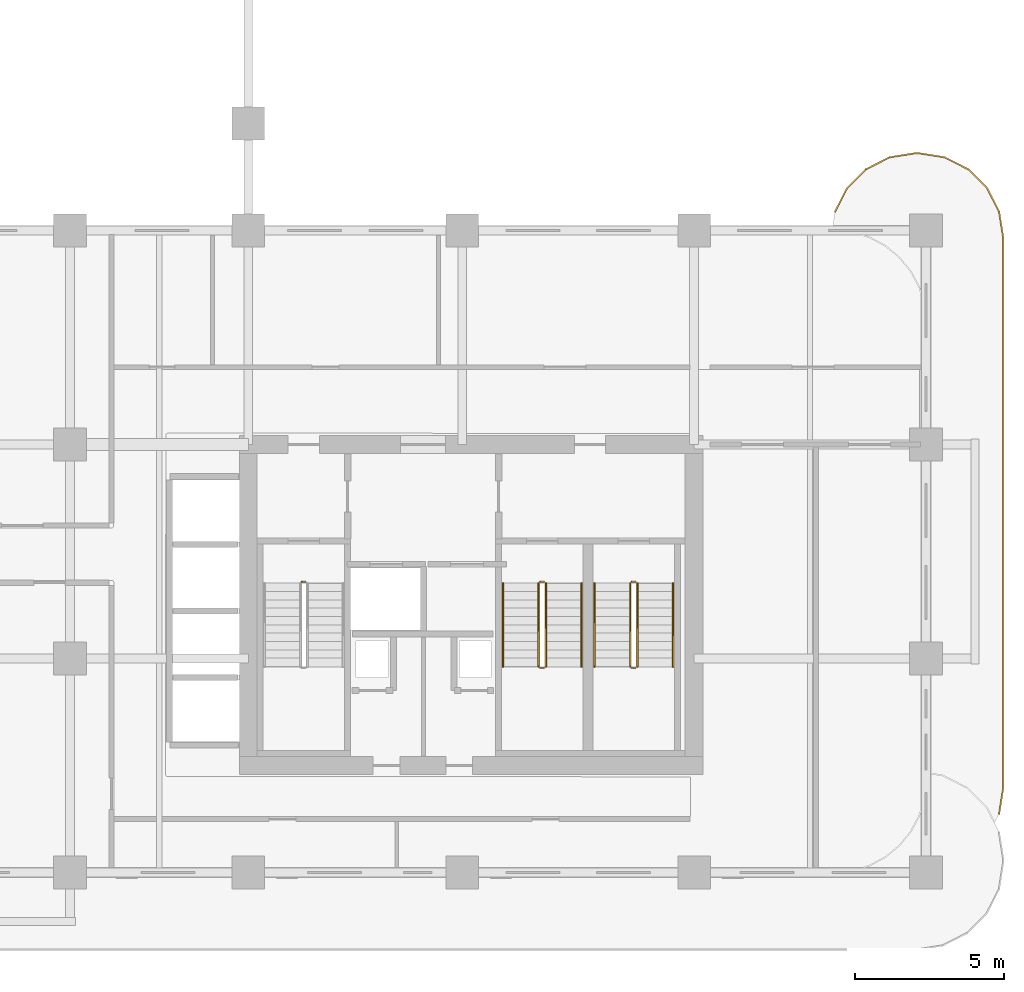
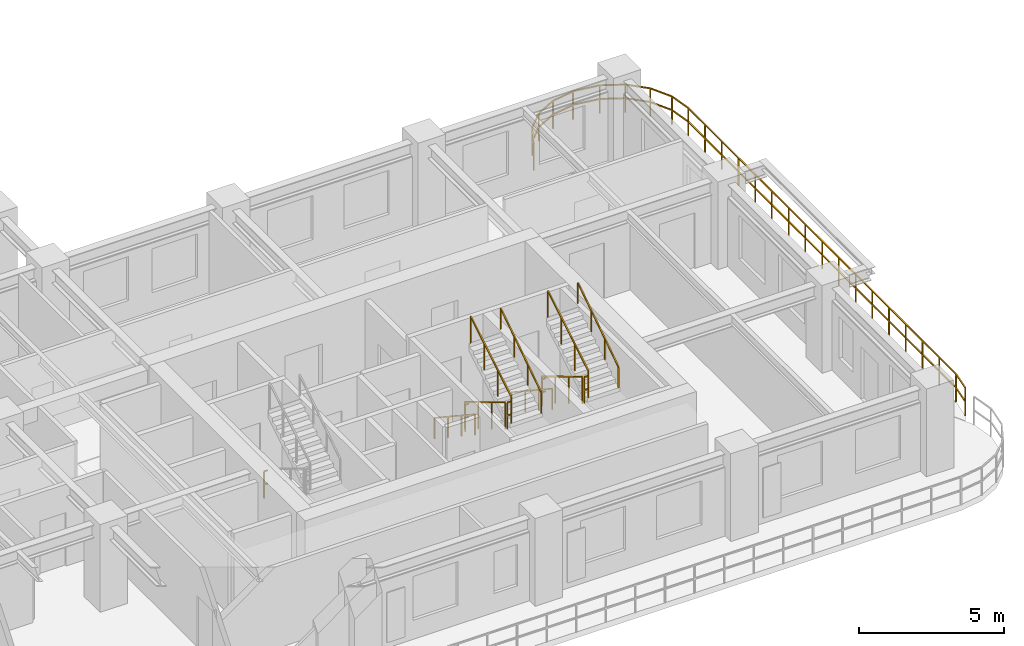
# One storey, part 17 of 19: 14 railings.
"""IFC4 building model written with IfcOpenShell, lengths in metres."""

import ifcopenshell
import ifcopenshell.guid

model = None  # the IFC model being written
_history = None  # IfcOwnerHistory: only IFC2X3 demands one
_inside = {}  # id of a spatial element -> (the spatial element, [elements in it])
_under = {}  # id of a project, library or spatial element -> (it, [spatial elements below it])
_declared = {}  # id of a project -> (the project, [libraries it declares])
_typed = {}  # id of a type object -> (the type object, [elements of that type])
_made_of = {}  # id of a material, layer set ... -> (it, [elements and type objects made of it])


def new_model(schema):
    """Start an empty IFC model of exactly this schema.

    Asked for "IFC4X3", IfcOpenShell would pick the latest addendum, in which some entities
    have other attributes; the version numbers below select the first issue.
    IFC2X3 requires an IfcOwnerHistory on every rooted entity: one is made here for all.
    """
    global model, _history
    if schema == "IFC4X3":
        model = ifcopenshell.file(schema_version=(4, 3, 0, 0))
    else:
        model = ifcopenshell.file(schema=schema)
    _inside.clear()
    _under.clear()
    _declared.clear()
    _typed.clear()
    _made_of.clear()
    _history = None
    if model.schema == "IFC2X3":
        org = make("IfcOrganization", Name="unknown")
        user = make(
            "IfcPersonAndOrganization",
            ThePerson=make("IfcPerson", FamilyName="unknown"),
            TheOrganization=org,
        )
        app = make(
            "IfcApplication",
            ApplicationDeveloper=org,
            Version="unknown",
            ApplicationFullName="unknown",
            ApplicationIdentifier="unknown",
        )
        _history = make(
            "IfcOwnerHistory",
            OwningUser=user,
            OwningApplication=app,
            ChangeAction="ADDED",
            CreationDate=0,
        )
    return model


def make(cls, **values):
    """One entity of the class cls with the attributes given. An attribute that is None is left unset."""
    return model.create_entity(
        cls, **{name: value for name, value in values.items() if value is not None}
    )


def rooted(cls, **values):
    """An entity with a GlobalId (a new one), such as an element, a storey or a relation."""
    return make(cls, GlobalId=ifcopenshell.guid.new(), OwnerHistory=_history, **values)


def si_unit(unit_type, name, prefix=None):
    """IfcSIUnit, for example si_unit("LENGTHUNIT", "METRE", prefix="MILLI")."""
    return make("IfcSIUnit", UnitType=unit_type, Prefix=prefix, Name=name)


def derived_unit(unit_type, elements):
    """IfcDerivedUnit: a product of units, each with its exponent."""
    return make(
        "IfcDerivedUnit",
        Elements=[
            make("IfcDerivedUnitElement", Unit=unit, Exponent=power)
            for unit, power in elements
        ],
        UnitType=unit_type,
    )


def assignment(units):
    """IfcUnitAssignment: the units of a project."""
    return None if units is None else make("IfcUnitAssignment", Units=units)


def point(xyz):
    """IfcCartesianPoint."""
    return None if xyz is None else make("IfcCartesianPoint", Coordinates=xyz)


def direction(xyz):
    """IfcDirection."""
    return None if xyz is None else make("IfcDirection", DirectionRatios=xyz)


def frame(location, z_axis=None, x_axis=None):
    """IfcAxis2Placement3D, a coordinate frame: its origin and axes. An axis left out is left unset."""
    return make(
        "IfcAxis2Placement3D",
        Location=point(location),
        Axis=direction(z_axis),
        RefDirection=direction(x_axis),
    )


def frame_2d(location, x_axis=None):
    """IfcAxis2Placement2D, a coordinate frame in the plane: its origin and x axis."""
    return make(
        "IfcAxis2Placement2D", Location=point(location), RefDirection=direction(x_axis)
    )


def origin():
    """The frame at (0, 0, 0) with its axes left unset."""
    return frame((0.0, 0.0, 0.0))


def origin_2d():
    """The frame at (0, 0) in the plane with its x axis left unset."""
    return frame_2d((0.0, 0.0))


def place(relative_to, where):
    """IfcLocalPlacement: puts the frame where relative to a parent placement (None: the world)."""
    return make(
        "IfcLocalPlacement", PlacementRelTo=relative_to, RelativePlacement=where
    )


def context(
    kind, dimensions, precision=None, world=None, true_north=None, identifier=None
):
    """IfcGeometricRepresentationContext, for example the 3D "Model" context."""
    return make(
        "IfcGeometricRepresentationContext",
        ContextIdentifier=identifier,
        ContextType=kind,
        CoordinateSpaceDimension=dimensions,
        Precision=precision,
        WorldCoordinateSystem=world,
        TrueNorth=true_north,
    )


def subcontext(parent, identifier, kind, view, scale=None):
    """IfcGeometricRepresentationSubContext, for example "Body" below "Model"."""
    return make(
        "IfcGeometricRepresentationSubContext",
        ContextIdentifier=identifier,
        ContextType=kind,
        ParentContext=parent,
        TargetScale=scale,
        TargetView=view,
    )


def project(units=None, contexts=None):
    """IfcProject with its units and contexts."""
    return rooted(
        "IfcProject",
        Name="project",
        RepresentationContexts=contexts,
        UnitsInContext=assignment(units),
    )


def spatial(cls, under=None, at=None, **own):
    """A site, building, storey or space (cls), placed at a placement, below another one or the project."""
    s = rooted(cls, ObjectPlacement=at, **own)
    if under is not None:
        _under.setdefault(under.id(), (under, []))[1].append(s)
    return s


def profile(cls, at=None, kind="AREA", **sizes):
    """A parametric profile (cls). Its sizes go by their IFC names, for example OverallWidth=200.0."""
    return make(cls, ProfileType=kind, Position=at, **sizes)


def rectangle(**sizes):
    """IfcRectangleProfileDef."""
    return profile("IfcRectangleProfileDef", **sizes)


def extrude(swept, where, along, depth):
    """IfcExtrudedAreaSolid: the profile swept, set in the frame where, extruded along a direction by depth."""
    return make(
        "IfcExtrudedAreaSolid",
        SweptArea=swept,
        Position=where,
        ExtrudedDirection=direction(along),
        Depth=depth,
    )


def shape(context_of_items, identifier, shape_type, items):
    """IfcShapeRepresentation: the items that make up one representation, for example the "Body"."""
    return make(
        "IfcShapeRepresentation",
        ContextOfItems=context_of_items,
        RepresentationIdentifier=identifier,
        RepresentationType=shape_type,
        Items=items,
    )


def material(Name=None, Category=None):
    """IfcMaterial."""
    return make("IfcMaterial", Name=Name, Category=Category)


def made_of(thing, what):
    """Note that an element or type object is made of a material, layer set ...; save() writes the relation."""
    if what is not None:
        _made_of.setdefault(what.id(), (what, []))[1].append(thing)
    return thing


def type_object(cls, material=None, **own):
    """A type object (cls), such as IfcWallType, which elements share."""
    return made_of(rooted(cls, **own), material)


def element(
    cls,
    number,
    at=None,
    inside=None,
    cuts=None,
    type_object=None,
    material=None,
    context=None,
    identifier="Body",
    shape_type=None,
    held_by="IfcProductDefinitionShape",
    body=None,
    shapes=None,
    **own,
):
    """One element of the class cls, such as IfcWall. Its Tag is "e" and its number.

    at: its placement. inside: the storey or other place that contains it. cuts: it is an
    opening in that element (IfcRelVoidsElement). A single representation is given by context,
    identifier, shape_type and body (its items); several are given by shapes. held_by: the class
    of the entity that holds the representations. save() writes the other relations.
    """
    e = rooted(cls, Tag="e%d" % number, ObjectPlacement=at, **own)
    if body is not None:
        shapes = [shape(context, identifier, shape_type, body)]
    if shapes is not None:
        e.Representation = make(held_by, Representations=shapes)
    if inside is not None:
        _inside.setdefault(inside.id(), (inside, []))[1].append(e)
    if cuts is not None:
        rooted(
            "IfcRelVoidsElement", RelatingBuildingElement=cuts, RelatedOpeningElement=e
        )
    if type_object is not None:
        _typed.setdefault(type_object.id(), (type_object, []))[1].append(e)
    return made_of(e, material)


def aggregate(whole, parts):
    """IfcRelAggregates: a whole, such as a stair, and the parts it consists of."""
    return rooted("IfcRelAggregates", RelatingObject=whole, RelatedObjects=parts)


def save(model, path):
    """Write the relations noted so far, then the file.

    IfcRelAggregates (storeys below a building ...), IfcRelContainedInSpatialStructure (elements
    in a storey), IfcRelDefinesByType, IfcRelAssociatesMaterial and IfcRelDeclares: one each for
    every whole, place, type object, material and project.
    """
    for whole, parts in _under.values():
        aggregate(whole, parts)
    for where, things in _inside.values():
        rooted(
            "IfcRelContainedInSpatialStructure",
            RelatedElements=things,
            RelatingStructure=where,
        )
    for kind, things in _typed.values():
        rooted("IfcRelDefinesByType", RelatedObjects=things, RelatingType=kind)
    for what, things in _made_of.values():
        rooted("IfcRelAssociatesMaterial", RelatedObjects=things, RelatingMaterial=what)
    for by, libraries in _declared.values():
        rooted("IfcRelDeclares", RelatingContext=by, RelatedDefinitions=libraries)
    model.write(path)


model = new_model("IFC4")

# Units and contexts
model_context = context("Model", 3, precision=1e-05, world=origin(), true_north=direction((0.0, 1.0)))
body_context = subcontext(model_context, "Body", "Model", "MODEL_VIEW")
ifc_project = project(units=[si_unit("LENGTHUNIT", "METRE"), si_unit("AREAUNIT", "SQUARE_METRE"), si_unit("VOLUMEUNIT", "CUBIC_METRE"), si_unit("PLANEANGLEUNIT", "RADIAN"), si_unit("MASSUNIT", "GRAM", prefix="KILO"), si_unit("THERMODYNAMICTEMPERATUREUNIT", "KELVIN"), si_unit("POWERUNIT", "WATT"), derived_unit("THERMALTRANSMITTANCEUNIT", [(si_unit("POWERUNIT", "WATT"), 1), (si_unit("AREAUNIT", "SQUARE_METRE"), -1), (si_unit("THERMODYNAMICTEMPERATUREUNIT", "KELVIN"), -1)])], contexts=[model_context])

# Site, building, storey
site_placement = place(None, origin())
site = spatial("IfcSite", under=ifc_project, at=site_placement, CompositionType="ELEMENT")
building_placement = place(site_placement, origin())
building = spatial("IfcBuilding", under=site, at=building_placement, Name="Zahravan Archway Hotel and Residences", CompositionType="ELEMENT")
storey_placement = place(building_placement, frame((0.0, 0.0, 47.199951171875)))
storey = spatial("IfcBuildingStorey", under=building, at=storey_placement, Name="L10", CompositionType="ELEMENT", Elevation=47.199951171875)

# Railings
ifc_material_1 = material(Name="Bronze & Laminated Glass Balustrade", Category="glass")
railing_type_1 = type_object("IfcRailingType", Name="RL-BAL-1200", PredefinedType="BALUSTRADE", material=ifc_material_1)
railing_1_placement = place(storey_placement, frame((54.53955078125, 22.230712890625, 0.0)))
element("IfcRailing", 1, at=railing_1_placement, inside=storey, type_object=railing_type_1, Name="L10 Balustrade RL-SLB-BAL-L10-EA-1", PredefinedType="BALUSTRADE", context=body_context, shape_type="SweptSolid", body=[
    extrude(rectangle(XDim=0.048095703125, YDim=0.048095703125, at=origin_2d()), frame((0.0, 0.0, 1.17578125), z_axis=(0.453991409995, 0.891006060389, 0.0), x_axis=(-0.891006060389, 0.453991409995, 0.0)), (0.0, 0.0, 1.0), 0.8916015625),
    extrude(rectangle(XDim=0.048095703125, YDim=0.048095703125, at=origin_2d()), frame((0.0, 0.0, 0.60009765625), z_axis=(0.453991409995, 0.891006060389, 0.0), x_axis=(-0.891006060389, 0.453991409995, 0.0)), (0.0, 0.0, 1.0), 0.8916015625),
    extrude(rectangle(XDim=0.048095703125, YDim=0.048095703125, at=origin_2d()), frame((0.40478515625, 0.79443359375, 1.17578125), z_axis=(0.706969864397, 0.70724367147, 0.0), x_axis=(-0.70724367147, 0.706969864397, 0.0)), (0.0, 0.0, 1.0), 0.8916015625),
    extrude(rectangle(XDim=0.048095703125, YDim=0.048095703125, at=origin_2d()), frame((0.40478515625, 0.79443359375, 0.60009765625), z_axis=(0.706969864397, 0.70724367147, 0.0), x_axis=(-0.70724367147, 0.706969864397, 0.0)), (0.0, 0.0, 1.0), 0.8916015625),
    extrude(rectangle(XDim=0.048095703125, YDim=0.048095703125, at=origin_2d()), frame((1.03515625, 1.425048828125, 1.17578125), z_axis=(0.891062476022, 0.45388067135, 0.0), x_axis=(-0.45388067135, 0.891062476022, 0.0)), (0.0, 0.0, 1.0), 0.891845703125),
    extrude(rectangle(XDim=0.048095703125, YDim=0.048095703125, at=origin_2d()), frame((1.03515625, 1.425048828125, 0.60009765625), z_axis=(0.891062476022, 0.45388067135, 0.0), x_axis=(-0.45388067135, 0.891062476022, 0.0)), (0.0, 0.0, 1.0), 0.891845703125),
    extrude(rectangle(XDim=0.048095703125, YDim=0.048095703125, at=origin_2d()), frame((1.829833984375, 1.829833984375, 1.17578125), z_axis=(0.987700720307, 0.156356282588, 0.0), x_axis=(-0.156356282588, 0.987700720307, 0.0)), (0.0, 0.0, 1.0), 0.8916015625),
    extrude(rectangle(XDim=0.048095703125, YDim=0.048095703125, at=origin_2d()), frame((1.829833984375, 1.829833984375, 0.60009765625), z_axis=(0.987700720307, 0.156356282588, 0.0), x_axis=(-0.156356282588, 0.987700720307, 0.0)), (0.0, 0.0, 1.0), 0.8916015625),
    extrude(rectangle(XDim=0.048095703125, YDim=0.048095703125, at=origin_2d()), frame((2.71044921875, 1.96923828125, 1.17578125), z_axis=(1.0, 0.0, 0.0), x_axis=(0.0, 1.0, 0.0)), (0.0, 0.0, 1.0), 0.10009765625),
    extrude(rectangle(XDim=0.048095703125, YDim=0.048095703125, at=origin_2d()), frame((2.71044921875, 1.96923828125, 0.60009765625), z_axis=(1.0, 0.0, 0.0), x_axis=(0.0, 1.0, 0.0)), (0.0, 0.0, 1.0), 0.10009765625),
    extrude(rectangle(XDim=0.048095703125, YDim=0.048095703125, at=origin_2d()), frame((2.810546875, 1.96923828125, 1.17578125), z_axis=(0.987700720307, -0.156356282588, 0.0), x_axis=(0.156356282588, 0.987700720307, 0.0)), (0.0, 0.0, 1.0), 0.8916015625),
    extrude(rectangle(XDim=0.048095703125, YDim=0.048095703125, at=origin_2d()), frame((2.810546875, 1.96923828125, 0.60009765625), z_axis=(0.987700720307, -0.156356282588, 0.0), x_axis=(0.156356282588, 0.987700720307, 0.0)), (0.0, 0.0, 1.0), 0.8916015625),
    extrude(rectangle(XDim=0.048095703125, YDim=0.048095703125, at=origin_2d()), frame((3.691162109375, 1.829833984375, 1.17578125), z_axis=(0.891006060389, -0.453991409995, 0.0), x_axis=(0.453991409995, 0.891006060389, 0.0)), (0.0, 0.0, 1.0), 0.8916015625),
    extrude(rectangle(XDim=0.048095703125, YDim=0.048095703125, at=origin_2d()), frame((3.691162109375, 1.829833984375, 0.60009765625), z_axis=(0.891006060389, -0.453991409995, 0.0), x_axis=(0.453991409995, 0.891006060389, 0.0)), (0.0, 0.0, 1.0), 0.8916015625),
    extrude(rectangle(XDim=0.048095703125, YDim=0.048095703125, at=origin_2d()), frame((4.485595703125, 1.425048828125, 1.17578125), z_axis=(0.707106781187, -0.707106781187, 0.0), x_axis=(0.707106781187, 0.707106781187, 0.0)), (0.0, 0.0, 1.0), 0.891845703125),
    extrude(rectangle(XDim=0.048095703125, YDim=0.048095703125, at=origin_2d()), frame((4.485595703125, 1.425048828125, 0.60009765625), z_axis=(0.707106781187, -0.707106781187, 0.0), x_axis=(0.707106781187, 0.707106781187, 0.0)), (0.0, 0.0, 1.0), 0.891845703125),
    extrude(rectangle(XDim=0.048095703125, YDim=0.048095703125, at=origin_2d()), frame((5.1162109375, 0.79443359375, 1.17578125), z_axis=(0.453991409995, -0.891006060389, 0.0), x_axis=(0.891006060389, 0.453991409995, 0.0)), (0.0, 0.0, 1.0), 0.8916015625),
    extrude(rectangle(XDim=0.048095703125, YDim=0.048095703125, at=origin_2d()), frame((5.1162109375, 0.79443359375, 0.60009765625), z_axis=(0.453991409995, -0.891006060389, 0.0), x_axis=(0.891006060389, 0.453991409995, 0.0)), (0.0, 0.0, 1.0), 0.8916015625),
    extrude(rectangle(XDim=0.048095703125, YDim=0.048095703125, at=origin_2d()), frame((5.52099609375, 0.0, 1.17578125), z_axis=(0.156356282588, -0.987700720307, 0.0), x_axis=(0.987700720307, 0.156356282588, 0.0)), (0.0, 0.0, 1.0), 0.8916015625),
    extrude(rectangle(XDim=0.048095703125, YDim=0.048095703125, at=origin_2d()), frame((5.52099609375, 0.0, 0.60009765625), z_axis=(0.156356282588, -0.987700720307, 0.0), x_axis=(0.987700720307, 0.156356282588, 0.0)), (0.0, 0.0, 1.0), 0.8916015625),
    extrude(rectangle(XDim=0.048095703125, YDim=0.048095703125, at=origin_2d()), frame((5.660400390625, -0.880615234375, 1.17578125), z_axis=(0.0, -1.0, 0.0), x_axis=(1.0, 0.0, 0.0)), (0.0, 0.0, 1.0), 18.5),
    extrude(rectangle(XDim=0.048095703125, YDim=0.048095703125, at=origin_2d()), frame((5.660400390625, -0.880615234375, 0.60009765625), z_axis=(0.0, -1.0, 0.0), x_axis=(1.0, 0.0, 0.0)), (0.0, 0.0, 1.0), 18.5),
    extrude(rectangle(XDim=0.048095703125, YDim=0.048095703125, at=origin_2d()), frame((5.660400390625, -19.380615234375, 1.17578125), z_axis=(-0.156314005608, -0.987707411965, 0.0), x_axis=(0.987707411965, -0.156314005608, 0.0)), (0.0, 0.0, 1.0), 0.891845703125),
    extrude(rectangle(XDim=0.048095703125, YDim=0.048095703125, at=origin_2d()), frame((5.660400390625, -19.380615234375, 0.60009765625), z_axis=(-0.156314005608, -0.987707411965, 0.0), x_axis=(0.987707411965, -0.156314005608, 0.0)), (0.0, 0.0, 1.0), 0.891845703125),
    extrude(rectangle(XDim=0.0419921875, YDim=0.0419921875, at=origin_2d()), origin(), (0.0, 0.0, 1.0), 1.15185546875),
    extrude(rectangle(XDim=0.0419921875, YDim=0.0419921875, at=origin_2d()), frame((0.40478515625, 0.79443359375, 0.0)), (0.0, 0.0, 1.0), 1.15185546875),
    extrude(rectangle(XDim=0.0419921875, YDim=0.0419921875, at=origin_2d()), frame((1.03515625, 1.425048828125, 0.0)), (0.0, 0.0, 1.0), 1.15185546875),
    extrude(rectangle(XDim=0.0419921875, YDim=0.0419921875, at=origin_2d()), frame((1.829833984375, 1.829833984375, 0.0)), (0.0, 0.0, 1.0), 1.15185546875),
    extrude(rectangle(XDim=0.0419921875, YDim=0.0419921875, at=origin_2d()), frame((2.71044921875, 1.96923828125, 0.0)), (0.0, 0.0, 1.0), 1.15185546875),
    extrude(rectangle(XDim=0.0419921875, YDim=0.0419921875, at=origin_2d()), frame((3.691162109375, 1.829833984375, 0.0)), (0.0, 0.0, 1.0), 1.15185546875),
    extrude(rectangle(XDim=0.0419921875, YDim=0.0419921875, at=origin_2d()), frame((4.485595703125, 1.425048828125, 0.0)), (0.0, 0.0, 1.0), 1.15185546875),
    extrude(rectangle(XDim=0.0419921875, YDim=0.0419921875, at=origin_2d()), frame((5.1162109375, 0.79443359375, 0.0)), (0.0, 0.0, 1.0), 1.15185546875),
    extrude(rectangle(XDim=0.0419921875, YDim=0.0419921875, at=origin_2d()), frame((5.52099609375, 0.0, 0.0)), (0.0, 0.0, 1.0), 1.15185546875),
    extrude(rectangle(XDim=0.0419921875, YDim=0.0419921875, at=origin_2d()), frame((5.660400390625, -0.880615234375, 0.0)), (0.0, 0.0, 1.0), 1.15185546875),
    extrude(rectangle(XDim=0.0419921875, YDim=0.0419921875, at=origin_2d()), frame((5.660400390625, -2.036865234375, 0.0)), (0.0, 0.0, 1.0), 1.15185546875),
    extrude(rectangle(XDim=0.0419921875, YDim=0.0419921875, at=origin_2d()), frame((5.660400390625, -3.193115234375, 0.0)), (0.0, 0.0, 1.0), 1.15185546875),
    extrude(rectangle(XDim=0.0419921875, YDim=0.0419921875, at=origin_2d()), frame((5.660400390625, -4.349365234375, 0.0)), (0.0, 0.0, 1.0), 1.15185546875),
    extrude(rectangle(XDim=0.0419921875, YDim=0.0419921875, at=origin_2d()), frame((5.660400390625, -5.505615234375, 0.0)), (0.0, 0.0, 1.0), 1.15185546875),
    extrude(rectangle(XDim=0.0419921875, YDim=0.0419921875, at=origin_2d()), frame((5.660400390625, -6.661865234375, 0.0)), (0.0, 0.0, 1.0), 1.15185546875),
    extrude(rectangle(XDim=0.0419921875, YDim=0.0419921875, at=origin_2d()), frame((5.660400390625, -7.818115234375, 0.0)), (0.0, 0.0, 1.0), 1.15185546875),
    extrude(rectangle(XDim=0.0419921875, YDim=0.0419921875, at=origin_2d()), frame((5.660400390625, -8.974365234375, 0.0)), (0.0, 0.0, 1.0), 1.15185546875),
    extrude(rectangle(XDim=0.0419921875, YDim=0.0419921875, at=origin_2d()), frame((5.660400390625, -10.130615234375, 0.0)), (0.0, 0.0, 1.0), 1.15185546875),
    extrude(rectangle(XDim=0.0419921875, YDim=0.0419921875, at=origin_2d()), frame((5.660400390625, -11.286865234375, 0.0)), (0.0, 0.0, 1.0), 1.15185546875),
    extrude(rectangle(XDim=0.0419921875, YDim=0.0419921875, at=origin_2d()), frame((5.660400390625, -12.443115234375, 0.0)), (0.0, 0.0, 1.0), 1.15185546875),
    extrude(rectangle(XDim=0.0419921875, YDim=0.0419921875, at=origin_2d()), frame((5.660400390625, -13.599365234375, 0.0)), (0.0, 0.0, 1.0), 1.15185546875),
    extrude(rectangle(XDim=0.0419921875, YDim=0.0419921875, at=origin_2d()), frame((5.660400390625, -14.755615234375, 0.0)), (0.0, 0.0, 1.0), 1.15185546875),
    extrude(rectangle(XDim=0.0419921875, YDim=0.0419921875, at=origin_2d()), frame((5.660400390625, -15.911865234375, 0.0)), (0.0, 0.0, 1.0), 1.15185546875),
    extrude(rectangle(XDim=0.0419921875, YDim=0.0419921875, at=origin_2d()), frame((5.660400390625, -17.068115234375, 0.0)), (0.0, 0.0, 1.0), 1.15185546875),
    extrude(rectangle(XDim=0.0419921875, YDim=0.0419921875, at=origin_2d()), frame((5.660400390625, -18.224365234375, 0.0)), (0.0, 0.0, 1.0), 1.15185546875),
    extrude(rectangle(XDim=0.0419921875, YDim=0.0419921875, at=origin_2d()), frame((5.660400390625, -19.380615234375, 0.0)), (0.0, 0.0, 1.0), 1.15185546875),
    extrude(rectangle(XDim=0.0419921875, YDim=0.0419921875, at=origin_2d()), frame((5.52099609375, -20.261474609375, 0.0)), (0.0, 0.0, 1.0), 1.15185546875),
])
ifc_material_2 = material(Name="Painted Tubular Steel", Category="steel")
railing_type_2 = type_object("IfcRailingType", Name="RL-STG-1150", PredefinedType="GUARDRAIL", material=ifc_material_2)
railing_2_placement = place(storey_placement, frame((36.60009765625, 9.780029296875, 0.0)))
element("IfcRailing", 2, at=railing_2_placement, inside=storey, type_object=railing_type_2, Name="L10 ST-A1 stair guard 4", PredefinedType="GUARDRAIL", context=body_context, shape_type="SweptSolid", body=[
    extrude(rectangle(XDim=0.048095703125, YDim=0.048095703125, at=origin_2d()), frame((0.0, 0.0, 1.1259765625), z_axis=(1.0, 0.0, 0.0), x_axis=(0.0, 1.0, 0.0)), (0.0, 0.0, 1.0), 0.139892578125),
    extrude(rectangle(XDim=0.048095703125, YDim=0.048095703125, at=origin_2d()), frame((0.0, 0.0, 0.574951171875), z_axis=(1.0, 0.0, 0.0), x_axis=(0.0, 1.0, 0.0)), (0.0, 0.0, 1.0), 0.139892578125),
    extrude(rectangle(XDim=0.0419921875, YDim=0.0419921875, at=origin_2d()), origin(), (0.0, 0.0, 1.0), 1.101806640625),
])
railing_3_placement = place(storey_placement, frame((44.570068359375, 9.72998046875, 0.168212890625)))
element("IfcRailing", 3, at=railing_3_placement, inside=storey, type_object=railing_type_2, Name="L10 ST-A2 stair guard 1", PredefinedType="GUARDRAIL", context=body_context, shape_type="SweptSolid", body=[
    extrude(rectangle(XDim=0.048095703125, YDim=0.048095703125, at=origin_2d()), frame((0.0, 0.0, 1.1259765625), z_axis=(0.0, -0.857242210791, 0.514913383045), x_axis=(1.0, 0.0, 0.0)), (0.0, 0.0, 1.0), 3.266357421875),
    extrude(rectangle(XDim=0.0419921875, YDim=0.0419921875, at=origin_2d()), origin(), (0.0, 0.0, 1.0), 1.101806640625),
    extrude(rectangle(XDim=0.0419921875, YDim=0.0419921875, at=origin_2d()), frame((0.0, -0.933349609375, 0.560546875)), (0.0, 0.0, 1.0), 1.101806640625),
    extrude(rectangle(XDim=0.0419921875, YDim=0.0419921875, at=origin_2d()), frame((0.0, -1.86669921875, 1.121337890625)), (0.0, 0.0, 1.0), 1.101806640625),
    extrude(rectangle(XDim=0.0419921875, YDim=0.0419921875, at=origin_2d()), frame((0.0, -2.800048828125, 1.681884765625)), (0.0, 0.0, 1.0), 1.101806640625),
])
railing_4_placement = place(storey_placement, frame((44.6201171875, 6.8798828125, 1.85009765625)))
element("IfcRailing", 4, at=railing_4_placement, inside=storey, type_object=railing_type_2, Name="L10 ST-A2 stair guard 2", PredefinedType="GUARDRAIL", context=body_context, shape_type="SweptSolid", body=[
    extrude(rectangle(XDim=0.048095703125, YDim=0.048095703125, at=origin_2d()), frame((0.0, 0.0, 1.1259765625), z_axis=(1.0, 0.0, 0.0), x_axis=(0.0, 1.0, 0.0)), (0.0, 0.0, 1.0), 0.139892578125),
    extrude(rectangle(XDim=0.048095703125, YDim=0.048095703125, at=origin_2d()), frame((0.0, 0.0, 0.574951171875), z_axis=(1.0, 0.0, 0.0), x_axis=(0.0, 1.0, 0.0)), (0.0, 0.0, 1.0), 0.139892578125),
    extrude(rectangle(XDim=0.0419921875, YDim=0.0419921875, at=origin_2d()), origin(), (0.0, 0.0, 1.0), 1.101806640625),
])
railing_5_placement = place(storey_placement, frame((44.81005859375, 6.929931640625, 2.018310546875)))
element("IfcRailing", 5, at=railing_5_placement, inside=storey, type_object=railing_type_2, Name="L10 ST-A2 stair guard 3", PredefinedType="GUARDRAIL", context=body_context, shape_type="SweptSolid", body=[
    extrude(rectangle(XDim=0.048095703125, YDim=0.048095703125, at=origin_2d()), frame((0.0, 0.0, 1.1259765625), z_axis=(0.0, 0.857275202839, 0.514858452973), x_axis=(-1.0, 0.0, 0.0)), (0.0, 0.0, 1.0), 3.26611328125),
    extrude(rectangle(XDim=0.0419921875, YDim=0.0419921875, at=origin_2d()), origin(), (0.0, 0.0, 1.0), 1.101806640625),
    extrude(rectangle(XDim=0.0419921875, YDim=0.0419921875, at=origin_2d()), frame((0.0, 0.933349609375, 0.560546875)), (0.0, 0.0, 1.0), 1.101806640625),
    extrude(rectangle(XDim=0.0419921875, YDim=0.0419921875, at=origin_2d()), frame((0.0, 1.86669921875, 1.12109375)), (0.0, 0.0, 1.0), 1.101806640625),
    extrude(rectangle(XDim=0.0419921875, YDim=0.0419921875, at=origin_2d()), frame((0.0, 2.800048828125, 1.681640625)), (0.0, 0.0, 1.0), 1.101806640625),
])
railing_6_placement = place(storey_placement, frame((44.6201171875, 9.780029296875, 0.0)))
element("IfcRailing", 6, at=railing_6_placement, inside=storey, type_object=railing_type_2, Name="L10 ST-A2 stair guard 4", PredefinedType="GUARDRAIL", context=body_context, shape_type="SweptSolid", body=[
    extrude(rectangle(XDim=0.048095703125, YDim=0.048095703125, at=origin_2d()), frame((0.0, 0.0, 1.1259765625), z_axis=(1.0, 0.0, 0.0), x_axis=(0.0, 1.0, 0.0)), (0.0, 0.0, 1.0), 0.139892578125),
    extrude(rectangle(XDim=0.048095703125, YDim=0.048095703125, at=origin_2d()), frame((0.0, 0.0, 0.574951171875), z_axis=(1.0, 0.0, 0.0), x_axis=(0.0, 1.0, 0.0)), (0.0, 0.0, 1.0), 0.139892578125),
    extrude(rectangle(XDim=0.0419921875, YDim=0.0419921875, at=origin_2d()), origin(), (0.0, 0.0, 1.0), 1.101806640625),
])
railing_7_placement = place(storey_placement, frame((47.64990234375, 9.72998046875, 0.168212890625)))
element("IfcRailing", 7, at=railing_7_placement, inside=storey, type_object=railing_type_2, Name="L10 ST-A3 stair guard 1", PredefinedType="GUARDRAIL", context=body_context, shape_type="SweptSolid", body=[
    extrude(rectangle(XDim=0.048095703125, YDim=0.048095703125, at=origin_2d()), frame((0.0, 0.0, 1.1259765625), z_axis=(0.0, -0.857242210791, 0.514913383045), x_axis=(1.0, 0.0, 0.0)), (0.0, 0.0, 1.0), 3.266357421875),
    extrude(rectangle(XDim=0.0419921875, YDim=0.0419921875, at=origin_2d()), origin(), (0.0, 0.0, 1.0), 1.101806640625),
    extrude(rectangle(XDim=0.0419921875, YDim=0.0419921875, at=origin_2d()), frame((0.0, -0.933349609375, 0.560546875)), (0.0, 0.0, 1.0), 1.101806640625),
    extrude(rectangle(XDim=0.0419921875, YDim=0.0419921875, at=origin_2d()), frame((0.0, -1.86669921875, 1.121337890625)), (0.0, 0.0, 1.0), 1.101806640625),
    extrude(rectangle(XDim=0.0419921875, YDim=0.0419921875, at=origin_2d()), frame((0.0, -2.800048828125, 1.681884765625)), (0.0, 0.0, 1.0), 1.101806640625),
])
railing_8_placement = place(storey_placement, frame((47.699951171875, 6.8798828125, 1.85009765625)))
element("IfcRailing", 8, at=railing_8_placement, inside=storey, type_object=railing_type_2, Name="L10 ST-A3 stair guard 2", PredefinedType="GUARDRAIL", context=body_context, shape_type="SweptSolid", body=[
    extrude(rectangle(XDim=0.048095703125, YDim=0.048095703125, at=origin_2d()), frame((0.0, 0.0, 1.1259765625), z_axis=(1.0, 0.0, 0.0), x_axis=(0.0, 1.0, 0.0)), (0.0, 0.0, 1.0), 0.14013671875),
    extrude(rectangle(XDim=0.048095703125, YDim=0.048095703125, at=origin_2d()), frame((0.0, 0.0, 0.574951171875), z_axis=(1.0, 0.0, 0.0), x_axis=(0.0, 1.0, 0.0)), (0.0, 0.0, 1.0), 0.14013671875),
    extrude(rectangle(XDim=0.0419921875, YDim=0.0419921875, at=origin_2d()), origin(), (0.0, 0.0, 1.0), 1.101806640625),
])
railing_9_placement = place(storey_placement, frame((47.889892578125, 6.929931640625, 2.018310546875)))
element("IfcRailing", 9, at=railing_9_placement, inside=storey, type_object=railing_type_2, Name="L10 ST-A3 stair guard 3", PredefinedType="GUARDRAIL", context=body_context, shape_type="SweptSolid", body=[
    extrude(rectangle(XDim=0.048095703125, YDim=0.048095703125, at=origin_2d()), frame((0.0, 0.0, 1.1259765625), z_axis=(0.0, 0.857275202839, 0.514858452973), x_axis=(-1.0, 0.0, 0.0)), (0.0, 0.0, 1.0), 3.26611328125),
    extrude(rectangle(XDim=0.0419921875, YDim=0.0419921875, at=origin_2d()), origin(), (0.0, 0.0, 1.0), 1.101806640625),
    extrude(rectangle(XDim=0.0419921875, YDim=0.0419921875, at=origin_2d()), frame((0.0, 0.933349609375, 0.560546875)), (0.0, 0.0, 1.0), 1.101806640625),
    extrude(rectangle(XDim=0.0419921875, YDim=0.0419921875, at=origin_2d()), frame((0.0, 1.86669921875, 1.12109375)), (0.0, 0.0, 1.0), 1.101806640625),
    extrude(rectangle(XDim=0.0419921875, YDim=0.0419921875, at=origin_2d()), frame((0.0, 2.800048828125, 1.681640625)), (0.0, 0.0, 1.0), 1.101806640625),
])
railing_10_placement = place(storey_placement, frame((47.699951171875, 9.780029296875, 0.0)))
element("IfcRailing", 10, at=railing_10_placement, inside=storey, type_object=railing_type_2, Name="L10 ST-A3 stair guard 4", PredefinedType="GUARDRAIL", context=body_context, shape_type="SweptSolid", body=[
    extrude(rectangle(XDim=0.048095703125, YDim=0.048095703125, at=origin_2d()), frame((0.0, 0.0, 1.1259765625), z_axis=(1.0, 0.0, 0.0), x_axis=(0.0, 1.0, 0.0)), (0.0, 0.0, 1.0), 0.14013671875),
    extrude(rectangle(XDim=0.048095703125, YDim=0.048095703125, at=origin_2d()), frame((0.0, 0.0, 0.574951171875), z_axis=(1.0, 0.0, 0.0), x_axis=(0.0, 1.0, 0.0)), (0.0, 0.0, 1.0), 0.14013671875),
    extrude(rectangle(XDim=0.0419921875, YDim=0.0419921875, at=origin_2d()), origin(), (0.0, 0.0, 1.0), 1.101806640625),
])
ifc_material_3 = material(Name="Brushed Stainless Steel", Category="steel")
railing_type_3 = type_object("IfcRailingType", Name="RL-STH-900", PredefinedType="HANDRAIL", material=ifc_material_3)
railing_11_placement = place(storey_placement, frame((43.3701171875, 9.72998046875, 0.168212890625)))
element("IfcRailing", 11, at=railing_11_placement, inside=storey, type_object=railing_type_3, Name="L10 ST-A2 stair handrail 1", PredefinedType="HANDRAIL", context=body_context, shape_type="SweptSolid", body=[
    extrude(rectangle(XDim=0.048095703125, YDim=0.048095703125, at=origin_2d()), frame((0.0, 0.0, 0.8759765625), z_axis=(0.0, -0.834326358476, 0.551270829586), x_axis=(1.0, 0.0, 0.0)), (0.0, 0.0, 1.0), 3.35595703125),
    extrude(rectangle(XDim=0.0419921875, YDim=0.0419921875, at=origin_2d()), origin(), (0.0, 0.0, 1.0), 0.851806640625),
    extrude(rectangle(XDim=0.0419921875, YDim=0.0419921875, at=origin_2d()), frame((0.0, -0.933349609375, 0.61669921875)), (0.0, 0.0, 1.0), 0.851806640625),
    extrude(rectangle(XDim=0.0419921875, YDim=0.0419921875, at=origin_2d()), frame((0.0, -1.86669921875, 1.2333984375)), (0.0, 0.0, 1.0), 0.851806640625),
    extrude(rectangle(XDim=0.0419921875, YDim=0.0419921875, at=origin_2d()), frame((0.0, -2.800048828125, 1.85009765625)), (0.0, 0.0, 1.0), 0.851806640625),
])
railing_12_placement = place(storey_placement, frame((46.010009765625, 6.929931640625, 2.018310546875)))
element("IfcRailing", 12, at=railing_12_placement, inside=storey, type_object=railing_type_3, Name="L10 ST-A2 stair handrail 2", PredefinedType="HANDRAIL", context=body_context, shape_type="SweptSolid", body=[
    extrude(rectangle(XDim=0.048095703125, YDim=0.048095703125, at=origin_2d()), frame((0.0, 0.0, 0.8759765625), z_axis=(0.0, 0.83435981716, 0.551220187865), x_axis=(-1.0, 0.0, 0.0)), (0.0, 0.0, 1.0), 3.35595703125),
    extrude(rectangle(XDim=0.0419921875, YDim=0.0419921875, at=origin_2d()), origin(), (0.0, 0.0, 1.0), 0.851806640625),
    extrude(rectangle(XDim=0.0419921875, YDim=0.0419921875, at=origin_2d()), frame((0.0, 0.933349609375, 0.61669921875)), (0.0, 0.0, 1.0), 0.851806640625),
    extrude(rectangle(XDim=0.0419921875, YDim=0.0419921875, at=origin_2d()), frame((0.0, 1.86669921875, 1.233154296875)), (0.0, 0.0, 1.0), 0.851806640625),
    extrude(rectangle(XDim=0.0419921875, YDim=0.0419921875, at=origin_2d()), frame((0.0, 2.800048828125, 1.849853515625)), (0.0, 0.0, 1.0), 0.851806640625),
])
railing_13_placement = place(storey_placement, frame((46.449951171875, 9.72998046875, 0.168212890625)))
element("IfcRailing", 13, at=railing_13_placement, inside=storey, type_object=railing_type_3, Name="L10 ST-A3 stair handrail 1", PredefinedType="HANDRAIL", context=body_context, shape_type="SweptSolid", body=[
    extrude(rectangle(XDim=0.048095703125, YDim=0.048095703125, at=origin_2d()), frame((0.0, 0.0, 0.8759765625), z_axis=(0.0, -0.834326358476, 0.551270829586), x_axis=(1.0, 0.0, 0.0)), (0.0, 0.0, 1.0), 3.35595703125),
    extrude(rectangle(XDim=0.0419921875, YDim=0.0419921875, at=origin_2d()), origin(), (0.0, 0.0, 1.0), 0.851806640625),
    extrude(rectangle(XDim=0.0419921875, YDim=0.0419921875, at=origin_2d()), frame((0.0, -0.933349609375, 0.61669921875)), (0.0, 0.0, 1.0), 0.851806640625),
    extrude(rectangle(XDim=0.0419921875, YDim=0.0419921875, at=origin_2d()), frame((0.0, -1.86669921875, 1.2333984375)), (0.0, 0.0, 1.0), 0.851806640625),
    extrude(rectangle(XDim=0.0419921875, YDim=0.0419921875, at=origin_2d()), frame((0.0, -2.800048828125, 1.85009765625)), (0.0, 0.0, 1.0), 0.851806640625),
])
railing_14_placement = place(storey_placement, frame((49.090087890625, 6.929931640625, 2.018310546875)))
element("IfcRailing", 14, at=railing_14_placement, inside=storey, type_object=railing_type_3, Name="L10 ST-A3 stair handrail 2", PredefinedType="HANDRAIL", context=body_context, shape_type="SweptSolid", body=[
    extrude(rectangle(XDim=0.048095703125, YDim=0.048095703125, at=origin_2d()), frame((0.0, 0.0, 0.8759765625), z_axis=(0.0, 0.83435981716, 0.551220187865), x_axis=(-1.0, 0.0, 0.0)), (0.0, 0.0, 1.0), 3.35595703125),
    extrude(rectangle(XDim=0.0419921875, YDim=0.0419921875, at=origin_2d()), origin(), (0.0, 0.0, 1.0), 0.851806640625),
    extrude(rectangle(XDim=0.0419921875, YDim=0.0419921875, at=origin_2d()), frame((0.0, 0.933349609375, 0.61669921875)), (0.0, 0.0, 1.0), 0.851806640625),
    extrude(rectangle(XDim=0.0419921875, YDim=0.0419921875, at=origin_2d()), frame((0.0, 1.86669921875, 1.233154296875)), (0.0, 0.0, 1.0), 0.851806640625),
    extrude(rectangle(XDim=0.0419921875, YDim=0.0419921875, at=origin_2d()), frame((0.0, 2.800048828125, 1.849853515625)), (0.0, 0.0, 1.0), 0.851806640625),
])

save(model, "model.ifc")
